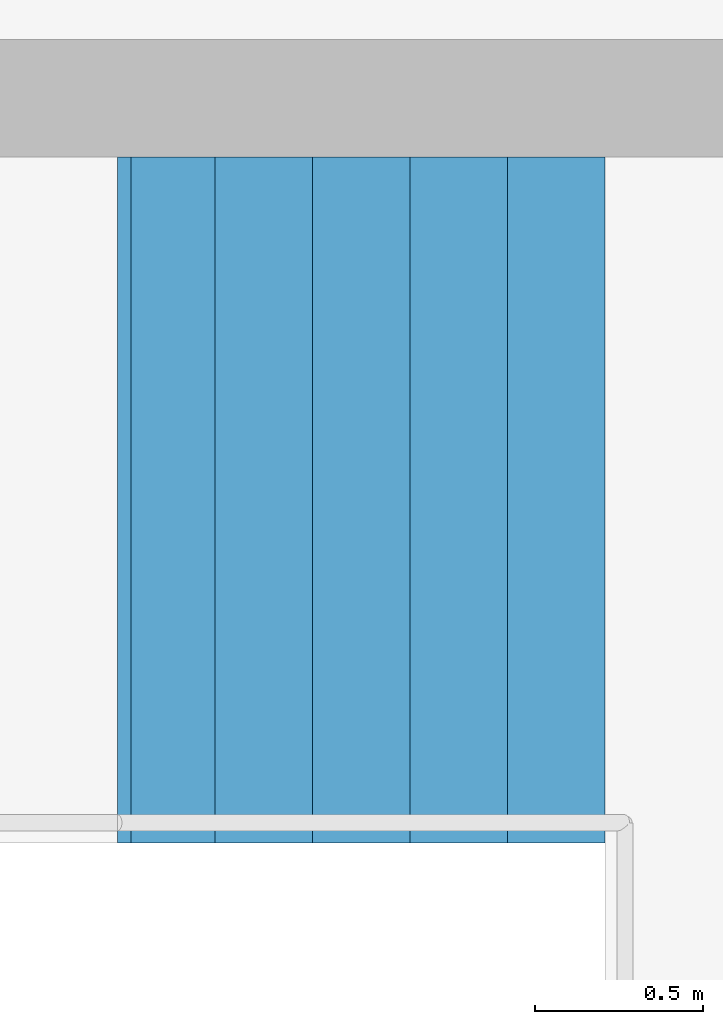
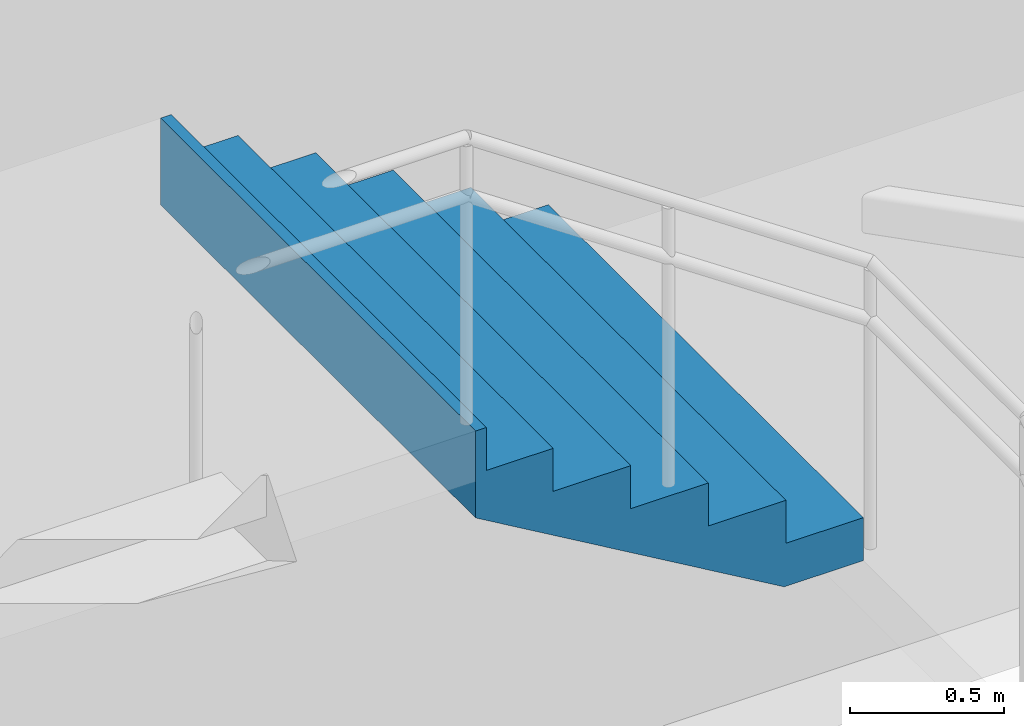
# One storey, part 68 of 70: 1 stair flight, 1 element without a shape of its own.
"""IFC4 building model written with IfcOpenShell, lengths in metres."""

from ifc_helpers import new_model, si_unit, direction, frame, origin, place, context, subcontext, project, spatial, triangles, material, type_object, element, aggregate, save


model = new_model("IFC4")

# Units and contexts
model_context = context("Model", 3, precision=1e-05, world=origin(), true_north=direction((0.0, 1.0)))
body_context = subcontext(model_context, "Body", "Model", "MODEL_VIEW")
ifc_project = project(units=[si_unit("LENGTHUNIT", "METRE"), si_unit("AREAUNIT", "SQUARE_METRE"), si_unit("VOLUMEUNIT", "CUBIC_METRE"), si_unit("PLANEANGLEUNIT", "RADIAN"), si_unit("MASSUNIT", "GRAM", prefix="KILO")], contexts=[model_context])

# Site, building, storey
site_placement = place(None, origin())
site = spatial("IfcSite", under=ifc_project, at=site_placement, CompositionType="ELEMENT")
building_placement = place(site_placement, origin())
building = spatial("IfcBuilding", under=site, at=building_placement, Name="Sillaruma Civic Art Gallery", CompositionType="ELEMENT")
storey_placement = place(building_placement, frame((0.0, 0.0, 66.300048828125)))
storey = spatial("IfcBuildingStorey", under=building, at=storey_placement, Name="L13", CompositionType="ELEMENT", Elevation=66.300048828125)

# Stair, stair flight
ifc_material = material(Name="Concrete H35 (35 MPa)", Category="concrete")
stair_type = type_object("IfcStairType", Name="STR-4F-24", PredefinedType="USERDEFINED", material=ifc_material)
stair_placement = place(storey_placement, origin())
stair = element("IfcStair", 1, at=stair_placement, inside=storey, type_object=stair_type, Name="Protected Exit Stair ST-02 (West Bar North) (L13)", ObjectType="THREE_RETURN_STAIR", PredefinedType="USERDEFINED")
stair_flight_type = type_object("IfcStairFlightType", Name="SFL-STR-6", PredefinedType="STRAIGHT", material=ifc_material)
stair_flight_placement = place(storey_placement, frame((67.199951171875, 86.3701171875, 2.0400390625), z_axis=(0.0, 0.0, 1.0), x_axis=(-1.0, 0.0, 0.0)))
stair_flight = element("IfcStairFlight", 2, at=stair_flight_placement, type_object=stair_flight_type, Name="ST-02 flight 3", NumberOfRisers=6, NumberOfTreads=5, PredefinedType="STRAIGHT", RiserHeight=0.17, TreadLength=0.29, context=body_context, shape_type="Tessellation", body=[
    triangles([(0.0, -1.02001953125, 0.0), (0.29, -1.02001953125, 0.0), (0.296365, -1.02001953125, 0.0), (0.58, -1.02001953125, 0.166269), (0.87, -1.02001953125, 0.336269), (1.16, -1.02001953125, 0.506269), (1.409951, -1.02001953125, 0.652792), (1.449951, -1.02001953125, 0.67624), (1.449951, -1.02001953125, 1.02), (1.409951, -1.02001953125, 1.02), (1.409951, -1.02001953125, 0.85), (1.16, -1.02001953125, 0.85), (1.16, -1.02001953125, 0.68), (0.87, -1.02001953125, 0.68), (0.87, -1.02001953125, 0.51), (0.58, -1.02001953125, 0.51), (0.58, -1.02001953125, 0.34), (0.296365, -1.02001953125, 0.34), (0.29, -1.02001953125, 0.34), (0.29, -1.02001953125, 0.17), (0.0, -1.02001953125, 0.17), (0.0, -0.05, 0.0), (0.29, -0.05, 0.0), (0.296365, -0.05, 0.0), (0.58, -0.05, 0.166269), (0.87, -0.05, 0.336269), (1.16, -0.05, 0.506269), (1.409951, -0.05, 0.652792), (1.449951, -0.05, 0.67624), (1.449951, -0.05, 1.02), (1.409951, -0.05, 1.02), (1.409951, -0.05, 0.85), (1.16, -0.05, 0.85), (1.16, -0.05, 0.68), (0.87, -0.05, 0.68), (0.87, -0.05, 0.51), (0.58, -0.05, 0.51), (0.58, -0.05, 0.34), (0.296365, -0.05, 0.34), (0.29, -0.05, 0.34), (0.29, -0.05, 0.17), (0.0, -0.05, 0.17), (0.0, -0.0375, 0.0), (0.29, -0.0375, 0.0), (0.296365, -0.0375, 0.0), (0.58, -0.0375, 0.166269), (0.87, -0.0375, 0.336269), (1.16, -0.0375, 0.506269), (1.409951, -0.0375, 0.652792), (1.449951, -0.0375, 0.67624), (1.449951, -0.0375, 1.02), (1.409951, -0.0375, 1.02), (1.409951, -0.0375, 0.85), (1.16, -0.0375, 0.85), (1.16, -0.0375, 0.68), (0.87, -0.0375, 0.68), (0.87, -0.0375, 0.51), (0.58, -0.0375, 0.51), (0.58, -0.0375, 0.34), (0.296365, -0.0375, 0.34), (0.29, -0.0375, 0.34), (0.29, -0.0375, 0.17), (0.0, -0.0375, 0.17), (0.0, -0.025, 0.0), (0.29, -0.025, 0.0), (0.296365, -0.025, 0.0), (0.58, -0.025, 0.166269), (0.87, -0.025, 0.336269), (1.16, -0.025, 0.506269), (1.409951, -0.025, 0.652792), (1.449951, -0.025, 0.67624), (1.449951, -0.025, 1.02), (1.409951, -0.025, 1.02), (1.409951, -0.025, 0.85), (1.16, -0.025, 0.85), (1.16, -0.025, 0.68), (0.87, -0.025, 0.68), (0.87, -0.025, 0.51), (0.58, -0.025, 0.51), (0.58, -0.025, 0.34), (0.296365, -0.025, 0.34), (0.29, -0.025, 0.34), (0.29, -0.025, 0.17), (0.0, -0.025, 0.17), (0.0, -0.0125, 0.0), (0.29, -0.0125, 0.0), (0.296365, -0.0125, 0.0), (0.58, -0.0125, 0.166269), (0.87, -0.0125, 0.336269), (1.16, -0.0125, 0.506269), (1.409951, -0.0125, 0.652792), (1.449951, -0.0125, 0.67624), (1.449951, -0.0125, 1.02), (1.409951, -0.0125, 1.02), (1.409951, -0.0125, 0.85), (1.16, -0.0125, 0.85), (1.16, -0.0125, 0.68), (0.87, -0.0125, 0.68), (0.87, -0.0125, 0.51), (0.58, -0.0125, 0.51), (0.58, -0.0125, 0.34), (0.296365, -0.0125, 0.34), (0.29, -0.0125, 0.34), (0.29, -0.0125, 0.17), (0.0, -0.0125, 0.17), (0.0, 0.0, 0.0), (0.29, 0.0, 0.0), (0.296365, 0.0, 0.0), (0.58, 0.0, 0.166269), (0.87, 0.0, 0.336269), (1.16, 0.0, 0.506269), (1.409951, 0.0, 0.652792), (1.449951, 0.0, 0.67624), (1.449951, 0.0, 1.02), (1.409951, 0.0, 1.02), (1.409951, 0.0, 0.85), (1.16, 0.0, 0.85), (1.16, 0.0, 0.68), (0.87, 0.0, 0.68), (0.87, 0.0, 0.51), (0.58, 0.0, 0.51), (0.58, 0.0, 0.34), (0.296365, 0.0, 0.34), (0.29, 0.0, 0.34), (0.29, 0.0, 0.17), (0.0, 0.0, 0.17), (0.0, 0.0125, 0.0), (0.29, 0.0125, 0.0), (0.296365, 0.0125, 0.0), (0.58, 0.0125, 0.166269), (0.87, 0.0125, 0.336269), (1.16, 0.0125, 0.506269), (1.409951, 0.0125, 0.652792), (1.449951, 0.0125, 0.67624), (1.449951, 0.0125, 1.02), (1.409951, 0.0125, 1.02), (1.409951, 0.0125, 0.85), (1.16, 0.0125, 0.85), (1.16, 0.0125, 0.68), (0.87, 0.0125, 0.68), (0.87, 0.0125, 0.51), (0.58, 0.0125, 0.51), (0.58, 0.0125, 0.34), (0.296365, 0.0125, 0.34), (0.29, 0.0125, 0.34), (0.29, 0.0125, 0.17), (0.0, 0.0125, 0.17), (0.0, 0.025, 0.0), (0.29, 0.025, 0.0), (0.296365, 0.025, 0.0), (0.58, 0.025, 0.166269), (0.87, 0.025, 0.336269), (1.16, 0.025, 0.506269), (1.409951, 0.025, 0.652792), (1.449951, 0.025, 0.67624), (1.449951, 0.025, 1.02), (1.409951, 0.025, 1.02), (1.409951, 0.025, 0.85), (1.16, 0.025, 0.85), (1.16, 0.025, 0.68), (0.87, 0.025, 0.68), (0.87, 0.025, 0.51), (0.58, 0.025, 0.51), (0.58, 0.025, 0.34), (0.296365, 0.025, 0.34), (0.29, 0.025, 0.34), (0.29, 0.025, 0.17), (0.0, 0.025, 0.17), (0.0, 0.0375, 0.0), (0.29, 0.0375, 0.0), (0.296365, 0.0375, 0.0), (0.58, 0.0375, 0.166269), (0.87, 0.0375, 0.336269), (1.16, 0.0375, 0.506269), (1.409951, 0.0375, 0.652792), (1.449951, 0.0375, 0.67624), (1.449951, 0.0375, 1.02), (1.409951, 0.0375, 1.02), (1.409951, 0.0375, 0.85), (1.16, 0.0375, 0.85), (1.16, 0.0375, 0.68), (0.87, 0.0375, 0.68), (0.87, 0.0375, 0.51), (0.58, 0.0375, 0.51), (0.58, 0.0375, 0.34), (0.296365, 0.0375, 0.34), (0.29, 0.0375, 0.34), (0.29, 0.0375, 0.17), (0.0, 0.0375, 0.17), (0.0, 0.05, 0.0), (0.29, 0.05, 0.0), (0.296365, 0.05, 0.0), (0.58, 0.05, 0.166269), (0.87, 0.05, 0.336269), (1.16, 0.05, 0.506269), (1.409951, 0.05, 0.652792), (1.449951, 0.05, 0.67624), (1.449951, 0.05, 1.02), (1.409951, 0.05, 1.02), (1.409951, 0.05, 0.85), (1.16, 0.05, 0.85), (1.16, 0.05, 0.68), (0.87, 0.05, 0.68), (0.87, 0.05, 0.51), (0.58, 0.05, 0.51), (0.58, 0.05, 0.34), (0.296365, 0.05, 0.34), (0.29, 0.05, 0.34), (0.29, 0.05, 0.17), (0.0, 0.05, 0.17), (0.0, 1.02001953125, 0.0), (0.29, 1.02001953125, 0.0), (0.296365, 1.02001953125, 0.0), (0.58, 1.02001953125, 0.166269), (0.87, 1.02001953125, 0.336269), (1.16, 1.02001953125, 0.506269), (1.409951, 1.02001953125, 0.652792), (1.449951, 1.02001953125, 0.67624), (1.449951, 1.02001953125, 1.02), (1.409951, 1.02001953125, 1.02), (1.409951, 1.02001953125, 0.85), (1.16, 1.02001953125, 0.85), (1.16, 1.02001953125, 0.68), (0.87, 1.02001953125, 0.68), (0.87, 1.02001953125, 0.51), (0.58, 1.02001953125, 0.51), (0.58, 1.02001953125, 0.34), (0.296365, 1.02001953125, 0.34), (0.29, 1.02001953125, 0.34), (0.29, 1.02001953125, 0.17), (0.0, 1.02001953125, 0.17)], [[1, 2, 20], [1, 20, 21], [2, 3, 18], [2, 18, 20], [20, 18, 19], [3, 4, 17], [3, 17, 18], [4, 5, 15], [4, 15, 17], [17, 15, 16], [5, 6, 13], [5, 13, 15], [15, 13, 14], [6, 7, 11], [6, 11, 13], [13, 11, 12], [7, 8, 9], [7, 9, 11], [11, 9, 10], [230, 212, 211], [231, 230, 211], [228, 213, 212], [230, 228, 212], [229, 228, 230], [227, 214, 213], [228, 227, 213], [225, 215, 214], [227, 225, 214], [226, 225, 227], [223, 216, 215], [225, 223, 215], [224, 223, 225], [221, 217, 216], [223, 221, 216], [222, 221, 223], [219, 218, 217], [221, 219, 217], [220, 219, 221], [2, 1, 22], [2, 22, 23], [3, 2, 23], [3, 23, 24], [4, 3, 24], [4, 24, 25], [5, 4, 25], [5, 25, 26], [6, 5, 26], [6, 26, 27], [7, 6, 27], [7, 27, 28], [8, 7, 28], [8, 28, 29], [9, 8, 29], [9, 29, 30], [10, 9, 30], [10, 30, 31], [11, 10, 31], [11, 31, 32], [12, 11, 32], [12, 32, 33], [13, 12, 33], [13, 33, 34], [14, 13, 34], [14, 34, 35], [15, 14, 35], [15, 35, 36], [16, 15, 36], [16, 36, 37], [17, 16, 37], [17, 37, 38], [18, 17, 38], [18, 38, 39], [19, 18, 39], [19, 39, 40], [20, 19, 40], [20, 40, 41], [21, 20, 41], [21, 41, 42], [1, 21, 42], [1, 42, 22], [23, 22, 43], [23, 43, 44], [24, 23, 44], [24, 44, 45], [25, 24, 45], [25, 45, 46], [26, 25, 46], [26, 46, 47], [27, 26, 47], [27, 47, 48], [28, 27, 48], [28, 48, 49], [29, 28, 49], [29, 49, 50], [30, 29, 50], [30, 50, 51], [31, 30, 51], [31, 51, 52], [32, 31, 52], [32, 52, 53], [33, 32, 53], [33, 53, 54], [34, 33, 54], [34, 54, 55], [35, 34, 55], [35, 55, 56], [36, 35, 56], [36, 56, 57], [37, 36, 57], [37, 57, 58], [38, 37, 58], [38, 58, 59], [39, 38, 59], [39, 59, 60], [40, 39, 60], [40, 60, 61], [41, 40, 61], [41, 61, 62], [42, 41, 62], [42, 62, 63], [22, 42, 63], [22, 63, 43], [44, 43, 64], [44, 64, 65], [45, 44, 65], [45, 65, 66], [46, 45, 66], [46, 66, 67], [47, 46, 67], [47, 67, 68], [48, 47, 68], [48, 68, 69], [49, 48, 69], [49, 69, 70], [50, 49, 70], [50, 70, 71], [51, 50, 71], [51, 71, 72], [52, 51, 72], [52, 72, 73], [53, 52, 73], [53, 73, 74], [54, 53, 74], [54, 74, 75], [55, 54, 75], [55, 75, 76], [56, 55, 76], [56, 76, 77], [57, 56, 77], [57, 77, 78], [58, 57, 78], [58, 78, 79], [59, 58, 79], [59, 79, 80], [60, 59, 80], [60, 80, 81], [61, 60, 81], [61, 81, 82], [62, 61, 82], [62, 82, 83], [63, 62, 83], [63, 83, 84], [43, 63, 84], [43, 84, 64], [65, 64, 85], [65, 85, 86], [66, 65, 86], [66, 86, 87], [67, 66, 87], [67, 87, 88], [68, 67, 88], [68, 88, 89], [69, 68, 89], [69, 89, 90], [70, 69, 90], [70, 90, 91], [71, 70, 91], [71, 91, 92], [72, 71, 92], [72, 92, 93], [73, 72, 93], [73, 93, 94], [74, 73, 94], [74, 94, 95], [75, 74, 95], [75, 95, 96], [76, 75, 96], [76, 96, 97], [77, 76, 97], [77, 97, 98], [78, 77, 98], [78, 98, 99], [79, 78, 99], [79, 99, 100], [80, 79, 100], [80, 100, 101], [81, 80, 101], [81, 101, 102], [82, 81, 102], [82, 102, 103], [83, 82, 103], [83, 103, 104], [84, 83, 104], [84, 104, 105], [64, 84, 105], [64, 105, 85], [86, 85, 106], [86, 106, 107], [87, 86, 107], [87, 107, 108], [88, 87, 108], [88, 108, 109], [89, 88, 109], [89, 109, 110], [90, 89, 110], [90, 110, 111], [91, 90, 111], [91, 111, 112], [92, 91, 112], [92, 112, 113], [93, 92, 113], [93, 113, 114], [94, 93, 114], [94, 114, 115], [95, 94, 115], [95, 115, 116], [96, 95, 116], [96, 116, 117], [97, 96, 117], [97, 117, 118], [98, 97, 118], [98, 118, 119], [99, 98, 119], [99, 119, 120], [100, 99, 120], [100, 120, 121], [101, 100, 121], [101, 121, 122], [102, 101, 122], [102, 122, 123], [103, 102, 123], [103, 123, 124], [104, 103, 124], [104, 124, 125], [105, 104, 125], [105, 125, 126], [85, 105, 126], [85, 126, 106], [107, 106, 127], [107, 127, 128], [108, 107, 128], [108, 128, 129], [109, 108, 129], [109, 129, 130], [110, 109, 130], [110, 130, 131], [111, 110, 131], [111, 131, 132], [112, 111, 132], [112, 132, 133], [113, 112, 133], [113, 133, 134], [114, 113, 134], [114, 134, 135], [115, 114, 135], [115, 135, 136], [116, 115, 136], [116, 136, 137], [117, 116, 137], [117, 137, 138], [118, 117, 138], [118, 138, 139], [119, 118, 139], [119, 139, 140], [120, 119, 140], [120, 140, 141], [121, 120, 141], [121, 141, 142], [122, 121, 142], [122, 142, 143], [123, 122, 143], [123, 143, 144], [124, 123, 144], [124, 144, 145], [125, 124, 145], [125, 145, 146], [126, 125, 146], [126, 146, 147], [106, 126, 147], [106, 147, 127], [128, 127, 148], [128, 148, 149], [129, 128, 149], [129, 149, 150], [130, 129, 150], [130, 150, 151], [131, 130, 151], [131, 151, 152], [132, 131, 152], [132, 152, 153], [133, 132, 153], [133, 153, 154], [134, 133, 154], [134, 154, 155], [135, 134, 155], [135, 155, 156], [136, 135, 156], [136, 156, 157], [137, 136, 157], [137, 157, 158], [138, 137, 158], [138, 158, 159], [139, 138, 159], [139, 159, 160], [140, 139, 160], [140, 160, 161], [141, 140, 161], [141, 161, 162], [142, 141, 162], [142, 162, 163], [143, 142, 163], [143, 163, 164], [144, 143, 164], [144, 164, 165], [145, 144, 165], [145, 165, 166], [146, 145, 166], [146, 166, 167], [147, 146, 167], [147, 167, 168], [127, 147, 168], [127, 168, 148], [149, 148, 169], [149, 169, 170], [150, 149, 170], [150, 170, 171], [151, 150, 171], [151, 171, 172], [152, 151, 172], [152, 172, 173], [153, 152, 173], [153, 173, 174], [154, 153, 174], [154, 174, 175], [155, 154, 175], [155, 175, 176], [156, 155, 176], [156, 176, 177], [157, 156, 177], [157, 177, 178], [158, 157, 178], [158, 178, 179], [159, 158, 179], [159, 179, 180], [160, 159, 180], [160, 180, 181], [161, 160, 181], [161, 181, 182], [162, 161, 182], [162, 182, 183], [163, 162, 183], [163, 183, 184], [164, 163, 184], [164, 184, 185], [165, 164, 185], [165, 185, 186], [166, 165, 186], [166, 186, 187], [167, 166, 187], [167, 187, 188], [168, 167, 188], [168, 188, 189], [148, 168, 189], [148, 189, 169], [170, 169, 190], [170, 190, 191], [171, 170, 191], [171, 191, 192], [172, 171, 192], [172, 192, 193], [173, 172, 193], [173, 193, 194], [174, 173, 194], [174, 194, 195], [175, 174, 195], [175, 195, 196], [176, 175, 196], [176, 196, 197], [177, 176, 197], [177, 197, 198], [178, 177, 198], [178, 198, 199], [179, 178, 199], [179, 199, 200], [180, 179, 200], [180, 200, 201], [181, 180, 201], [181, 201, 202], [182, 181, 202], [182, 202, 203], [183, 182, 203], [183, 203, 204], [184, 183, 204], [184, 204, 205], [185, 184, 205], [185, 205, 206], [186, 185, 206], [186, 206, 207], [187, 186, 207], [187, 207, 208], [188, 187, 208], [188, 208, 209], [189, 188, 209], [189, 209, 210], [169, 189, 210], [169, 210, 190], [191, 190, 211], [191, 211, 212], [192, 191, 212], [192, 212, 213], [193, 192, 213], [193, 213, 214], [194, 193, 214], [194, 214, 215], [195, 194, 215], [195, 215, 216], [196, 195, 216], [196, 216, 217], [197, 196, 217], [197, 217, 218], [198, 197, 218], [198, 218, 219], [199, 198, 219], [199, 219, 220], [200, 199, 220], [200, 220, 221], [201, 200, 221], [201, 221, 222], [202, 201, 222], [202, 222, 223], [203, 202, 223], [203, 223, 224], [204, 203, 224], [204, 224, 225], [205, 204, 225], [205, 225, 226], [206, 205, 226], [206, 226, 227], [207, 206, 227], [207, 227, 228], [208, 207, 228], [208, 228, 229], [209, 208, 229], [209, 229, 230], [210, 209, 230], [210, 230, 231], [190, 210, 231], [190, 231, 211]], closed=True),
])
aggregate(stair, [stair_flight])

save(model, "model.ifc")
